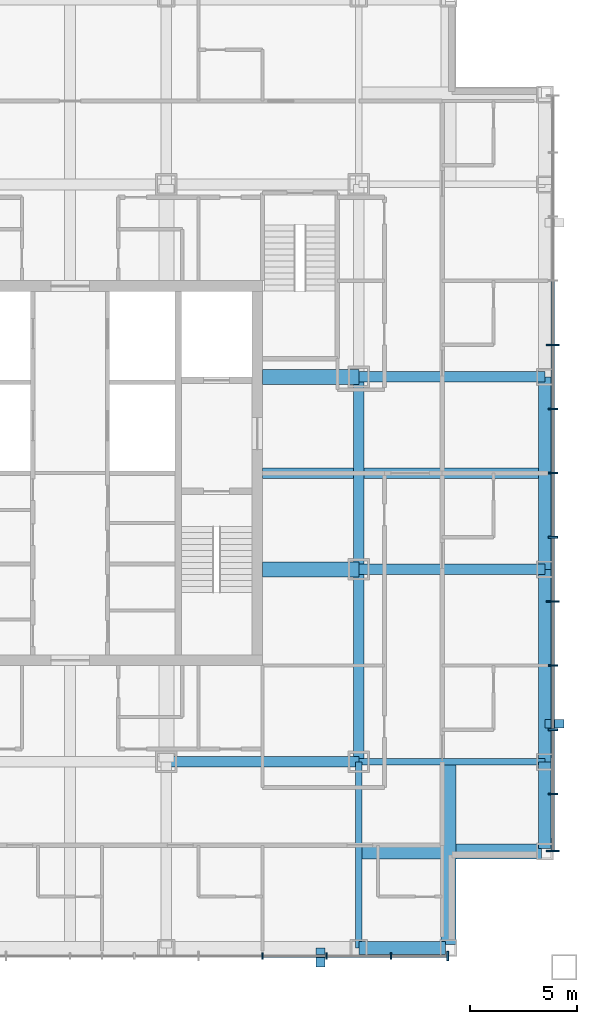
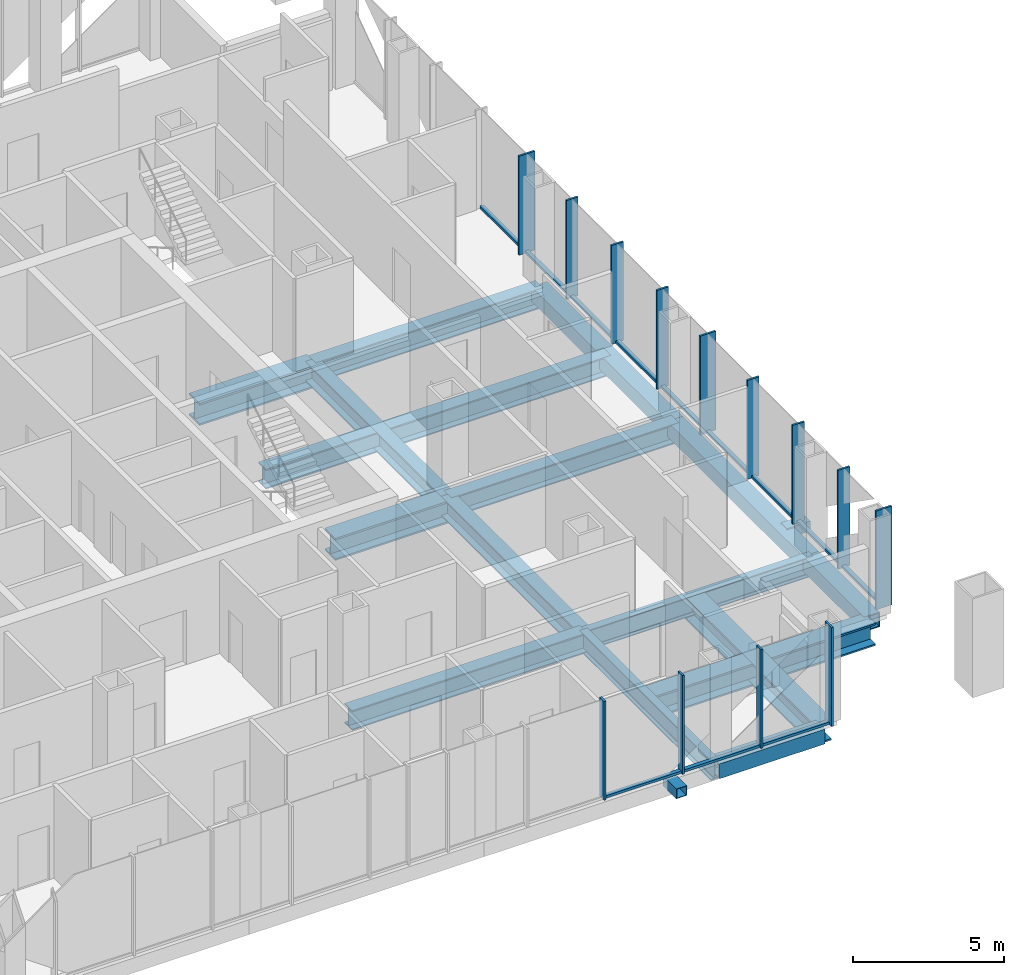
# One storey, part 3 of 11: 27 members, 16 beams, 2 elements without a shape of their own.
"""IFC4 building model written with IfcOpenShell, lengths in metres."""

from ifc_helpers import new_model, si_unit, direction, frame, origin, origin_2d, place, context, subcontext, project, spatial, rectangle, hollow_rectangle, i_section, extrude, material, layer, layer_set, material_profile, profile_set, type_object, element, aggregate, save


model = new_model("IFC4")

# Units and contexts
model_context = context("Model", 3, precision=1e-05, world=origin(), true_north=direction((0.0, 1.0)))
body_context = subcontext(model_context, "Body", "Model", "MODEL_VIEW")
ifc_project = project(units=[si_unit("LENGTHUNIT", "METRE"), si_unit("AREAUNIT", "SQUARE_METRE"), si_unit("VOLUMEUNIT", "CUBIC_METRE"), si_unit("PLANEANGLEUNIT", "RADIAN"), si_unit("MASSUNIT", "GRAM", prefix="KILO")], contexts=[model_context])

# Site, building, storey
site_placement = place(None, origin())
site = spatial("IfcSite", under=ifc_project, at=site_placement, CompositionType="ELEMENT")
building_placement = place(site_placement, origin())
building = spatial("IfcBuilding", under=site, at=building_placement, Name="Malebo Sky Hospital", CompositionType="ELEMENT")
storey_placement = place(building_placement, frame((0.0, 0.0, 201.0)))
storey = spatial("IfcBuildingStorey", under=building, at=storey_placement, Name="L48", CompositionType="ELEMENT", Elevation=201.0)

# Curtain wall, members
ifc_material_1 = material(Name="Anodised aluminium, natural silver", Category="aluminium")
ifc_layer_1 = layer(ifc_material_1, 0.25)
ifc_layer_set_1 = layer_set([ifc_layer_1], Name="WARD CURTAIN WALL NORTH AND SOUTH")
curtain_wall_type_1 = type_object("IfcCurtainWallType", Name="WARD CURTAIN WALL NORTH AND SOUTH", PredefinedType="NOTDEFINED", material=ifc_layer_set_1)
curtain_wall_1_placement = place(storey_placement, origin())
curtain_wall_1 = element("IfcCurtainWall", 1, at=curtain_wall_1_placement, inside=storey, type_object=curtain_wall_type_1, Name="NS curtain wall S", PredefinedType="NOTDEFINED")
ifc_material_profile_1 = material_profile(ifc_material_1, rectangle(XDim=0.14990234375, YDim=0.10009765625, at=origin_2d()), Name="ALUMINIUM TRANSOM 150x100")
ifc_profile_set_1 = profile_set([ifc_material_profile_1], Name="Anodised aluminium, natural silver")
member_type_1 = type_object("IfcMemberType", Name="ALUMINIUM TRANSOM 150x100", PredefinedType="USERDEFINED", material=ifc_profile_set_1)
member_1_placement = place(storey_placement, frame((77.625, 39.425048828125, 0.050048828125), z_axis=(-1.0, 0.0, 0.0), x_axis=(0.0, -1.0, 0.0)))
member_1 = element("IfcMember", 2, at=member_1_placement, type_object=member_type_1, Name="Transom 1", ObjectType="TRANSOM", PredefinedType="USERDEFINED", context=body_context, shape_type="SweptSolid", body=[
    extrude(rectangle(XDim=0.14990234375, YDim=0.10009765625, at=origin_2d()), origin(), (0.0, 0.0, 1.0), 2.58740234375),
])
member_2_placement = place(storey_placement, frame((74.96240234375, 39.425048828125, 0.050048828125), z_axis=(-1.0, 0.0, 0.0), x_axis=(0.0, -1.0, 0.0)))
member_2 = element("IfcMember", 3, at=member_2_placement, type_object=member_type_1, Name="Transom 2", ObjectType="TRANSOM", PredefinedType="USERDEFINED", context=body_context, shape_type="SweptSolid", body=[
    extrude(rectangle(XDim=0.14990234375, YDim=0.10009765625, at=origin_2d()), origin(), (0.0, 0.0, 1.0), 2.9248046875),
])
member_3_placement = place(storey_placement, frame((71.96240234375, 39.425048828125, 0.050048828125), z_axis=(-1.0, 0.0, 0.0), x_axis=(0.0, -1.0, 0.0)))
member_3 = element("IfcMember", 4, at=member_3_placement, type_object=member_type_1, Name="Transom 3", ObjectType="TRANSOM", PredefinedType="USERDEFINED", context=body_context, shape_type="SweptSolid", body=[
    extrude(rectangle(XDim=0.14990234375, YDim=0.10009765625, at=origin_2d()), origin(), (0.0, 0.0, 1.0), 2.9248046875),
])

ifc_layer_2 = layer(ifc_material_1, 0.25)
ifc_layer_set_2 = layer_set([ifc_layer_2], Name="WARD CURTAIN WALL EAST AND WEST")
curtain_wall_type_2 = type_object("IfcCurtainWallType", Name="WARD CURTAIN WALL EAST AND WEST", PredefinedType="NOTDEFINED", material=ifc_layer_set_2)
curtain_wall_2_placement = place(storey_placement, origin())
curtain_wall_2 = element("IfcCurtainWall", 5, at=curtain_wall_2_placement, inside=storey, type_object=curtain_wall_type_2, Name="EW curtain wall E", PredefinedType="NOTDEFINED")
member_4_placement = place(storey_placement, frame((82.574951171875, 70.96240234375, 0.050048828125), z_axis=(0.0, -1.0, 0.0), x_axis=(1.0, 0.0, 0.0)))
member_4 = element("IfcMember", 6, at=member_4_placement, type_object=member_type_1, Name="Transom 4", ObjectType="TRANSOM", PredefinedType="USERDEFINED", context=body_context, shape_type="SweptSolid", body=[
    extrude(rectangle(XDim=0.14990234375, YDim=0.10009765625, at=origin_2d()), origin(), (0.0, 0.0, 1.0), 2.9248046875),
])
member_5_placement = place(storey_placement, frame((82.574951171875, 67.96240234375, 0.050048828125), z_axis=(0.0, -1.0, 0.0), x_axis=(1.0, 0.0, 0.0)))
member_5 = element("IfcMember", 7, at=member_5_placement, type_object=member_type_1, Name="Transom 5", ObjectType="TRANSOM", PredefinedType="USERDEFINED", context=body_context, shape_type="SweptSolid", body=[
    extrude(rectangle(XDim=0.14990234375, YDim=0.10009765625, at=origin_2d()), origin(), (0.0, 0.0, 1.0), 2.9248046875),
])
member_6_placement = place(storey_placement, frame((82.574951171875, 64.96240234375, 0.050048828125), z_axis=(0.0, -1.0, 0.0), x_axis=(1.0, 0.0, 0.0)))
member_6 = element("IfcMember", 8, at=member_6_placement, type_object=member_type_1, Name="Transom 6", ObjectType="TRANSOM", PredefinedType="USERDEFINED", context=body_context, shape_type="SweptSolid", body=[
    extrude(rectangle(XDim=0.14990234375, YDim=0.10009765625, at=origin_2d()), origin(), (0.0, 0.0, 1.0), 2.9248046875),
])
member_7_placement = place(storey_placement, frame((82.574951171875, 61.96240234375, 0.050048828125), z_axis=(0.0, -1.0, 0.0), x_axis=(1.0, 0.0, 0.0)))
member_7 = element("IfcMember", 9, at=member_7_placement, type_object=member_type_1, Name="Transom 7", ObjectType="TRANSOM", PredefinedType="USERDEFINED", context=body_context, shape_type="SweptSolid", body=[
    extrude(rectangle(XDim=0.14990234375, YDim=0.10009765625, at=origin_2d()), origin(), (0.0, 0.0, 1.0), 2.9248046875),
])
member_8_placement = place(storey_placement, frame((82.574951171875, 58.96240234375, 0.050048828125), z_axis=(0.0, -1.0, 0.0), x_axis=(1.0, 0.0, 0.0)))
member_8 = element("IfcMember", 10, at=member_8_placement, type_object=member_type_1, Name="Transom 8", ObjectType="TRANSOM", PredefinedType="USERDEFINED", context=body_context, shape_type="SweptSolid", body=[
    extrude(rectangle(XDim=0.14990234375, YDim=0.10009765625, at=origin_2d()), origin(), (0.0, 0.0, 1.0), 2.9248046875),
])
member_9_placement = place(storey_placement, frame((82.574951171875, 55.96240234375, 0.050048828125), z_axis=(0.0, -1.0, 0.0), x_axis=(1.0, 0.0, 0.0)))
member_9 = element("IfcMember", 11, at=member_9_placement, type_object=member_type_1, Name="Transom 9", ObjectType="TRANSOM", PredefinedType="USERDEFINED", context=body_context, shape_type="SweptSolid", body=[
    extrude(rectangle(XDim=0.14990234375, YDim=0.10009765625, at=origin_2d()), origin(), (0.0, 0.0, 1.0), 2.9248046875),
])
member_10_placement = place(storey_placement, frame((82.574951171875, 52.96240234375, 0.050048828125), z_axis=(0.0, -1.0, 0.0), x_axis=(1.0, 0.0, 0.0)))
member_10 = element("IfcMember", 12, at=member_10_placement, type_object=member_type_1, Name="Transom 10", ObjectType="TRANSOM", PredefinedType="USERDEFINED", context=body_context, shape_type="SweptSolid", body=[
    extrude(rectangle(XDim=0.14990234375, YDim=0.10009765625, at=origin_2d()), origin(), (0.0, 0.0, 1.0), 2.9248046875),
])
member_11_placement = place(storey_placement, frame((82.574951171875, 49.96240234375, 0.050048828125), z_axis=(0.0, -1.0, 0.0), x_axis=(1.0, 0.0, 0.0)))
member_11 = element("IfcMember", 13, at=member_11_placement, type_object=member_type_1, Name="Transom 11", ObjectType="TRANSOM", PredefinedType="USERDEFINED", context=body_context, shape_type="SweptSolid", body=[
    extrude(rectangle(XDim=0.14990234375, YDim=0.10009765625, at=origin_2d()), origin(), (0.0, 0.0, 1.0), 2.9248046875),
])
member_12_placement = place(storey_placement, frame((82.574951171875, 46.96240234375, 0.050048828125), z_axis=(0.0, -1.0, 0.0), x_axis=(1.0, 0.0, 0.0)))
member_12 = element("IfcMember", 14, at=member_12_placement, type_object=member_type_1, Name="Transom 12", ObjectType="TRANSOM", PredefinedType="USERDEFINED", context=body_context, shape_type="SweptSolid", body=[
    extrude(rectangle(XDim=0.14990234375, YDim=0.10009765625, at=origin_2d()), origin(), (0.0, 0.0, 1.0), 2.58740234375),
])

# Members
ifc_material_2 = material(Name="Steel S355", Category="steel")
ifc_material_profile_2 = material_profile(ifc_material_2, hollow_rectangle(XDim=0.39990234375, YDim=0.39990234375, WallThickness=0.02001953125, at=origin_2d()), Name="SHS 400x20")
ifc_profile_set_2 = profile_set([ifc_material_profile_2], Name="Steel S355")
member_type_2 = type_object("IfcMemberType", Name="BRACE STRUT SHS 400x20", PredefinedType="STRUT", material=ifc_profile_set_2)
for number, where, z_axis, x_axis, name in (
    (15, (71.710205078125, 38.89990234375, -0.39990234375), (0.0, 1.0, 0.0), (-1.0, 0.0, 0.0), "Brace strut CS1 L48"),
    (16, (83.10009765625, 50.289794921875, -0.39990234375), (-1.0, 0.0, 0.0), (0.0, -1.0, 0.0), "Brace strut CE2 L48"),
):
    element("IfcMember", number, at=place(storey_placement, frame(where, z_axis=z_axis, x_axis=x_axis)), inside=storey, type_object=member_type_2, Name=name, PredefinedType="STRUT", context=body_context, shape_type="SweptSolid", body=[
        extrude(hollow_rectangle(XDim=0.39990234375, YDim=0.39990234375, WallThickness=0.02001953125, at=origin_2d()), origin(), (0.0, 0.0, 1.0), 0.900146484375),
    ])

# Member
ifc_material_profile_3 = material_profile(ifc_material_1, rectangle(XDim=0.074951171875, YDim=0.300048828125, at=origin_2d()), Name="CW1 ALUMINIUM FIN MULLION 75x300")
ifc_profile_set_3 = profile_set([ifc_material_profile_3], Name="Anodised aluminium, natural silver")
member_type_3 = type_object("IfcMemberType", Name="CW1 ALUMINIUM FIN MULLION 75x300", PredefinedType="MULLION", material=ifc_profile_set_3)
member_13_placement = place(storey_placement, frame((75.0, 39.425048828125, 0.0), z_axis=(0.0, 0.0, 1.0), x_axis=(-1.0, 0.0, 0.0)))
member_13 = element("IfcMember", 17, at=member_13_placement, type_object=member_type_3, Name="Fin mullion 2", PredefinedType="MULLION", context=body_context, shape_type="SweptSolid", body=[
    extrude(rectangle(XDim=0.074951171875, YDim=0.300048828125, at=origin_2d()), origin(), (0.0, 0.0, 1.0), 4.0),
])

member_14_placement = place(storey_placement, frame((72.0, 39.425048828125, 0.0), z_axis=(0.0, 0.0, 1.0), x_axis=(-1.0, 0.0, 0.0)))
member_14 = element("IfcMember", 18, at=member_14_placement, type_object=member_type_3, Name="Fin mullion 3", PredefinedType="MULLION", context=body_context, shape_type="SweptSolid", body=[
    extrude(rectangle(XDim=0.074951171875, YDim=0.300048828125, at=origin_2d()), origin(), (0.0, 0.0, 1.0), 4.0),
])

member_15_placement = place(storey_placement, frame((69.0, 39.425048828125, 0.0), z_axis=(0.0, 0.0, 1.0), x_axis=(-1.0, 0.0, 0.0)))
member_15 = element("IfcMember", 19, at=member_15_placement, type_object=member_type_3, Name="Fin mullion 4", PredefinedType="MULLION", context=body_context, shape_type="SweptSolid", body=[
    extrude(rectangle(XDim=0.074951171875, YDim=0.300048828125, at=origin_2d()), origin(), (0.0, 0.0, 1.0), 4.0),
])

ifc_material_profile_4 = material_profile(ifc_material_1, rectangle(XDim=0.074951171875, YDim=0.449951171875, at=origin_2d()), Name="CW1 ALUMINIUM FIN MULLION 75x450")
ifc_profile_set_4 = profile_set([ifc_material_profile_4], Name="Anodised aluminium, natural silver")
member_type_4 = type_object("IfcMemberType", Name="CW1 ALUMINIUM FIN MULLION 75x450", PredefinedType="MULLION", material=ifc_profile_set_4)
member_16_placement = place(storey_placement, frame((77.66259765625, 39.425048828125, 0.0), z_axis=(0.0, 0.0, 1.0), x_axis=(-1.0, 0.0, 0.0)))
member_16 = element("IfcMember", 20, at=member_16_placement, type_object=member_type_4, Name="Fin mullion 1", PredefinedType="MULLION", context=body_context, shape_type="SweptSolid", body=[
    extrude(rectangle(XDim=0.074951171875, YDim=0.449951171875, at=origin_2d()), origin(), (0.0, 0.0, 1.0), 4.0),
])

aggregate(curtain_wall_1, [member_16, member_13, member_14, member_15, member_1, member_2, member_3])

ifc_material_profile_5 = material_profile(ifc_material_1, rectangle(XDim=0.074951171875, YDim=0.449951171875, at=origin_2d()), Name="CW2 ALUMINIUM FIN MULLION 75x450")
ifc_profile_set_5 = profile_set([ifc_material_profile_5], Name="Anodised aluminium, natural silver")
member_type_5 = type_object("IfcMemberType", Name="CW2 ALUMINIUM FIN MULLION 75x450", PredefinedType="MULLION", material=ifc_profile_set_5)
member_17_placement = place(storey_placement, frame((82.574951171875, 65.0, 0.0), z_axis=(0.0, 0.0, 1.0), x_axis=(0.0, -1.0, 0.0)))
member_17 = element("IfcMember", 21, at=member_17_placement, type_object=member_type_5, Name="Fin mullion 6", PredefinedType="MULLION", context=body_context, shape_type="SweptSolid", body=[
    extrude(rectangle(XDim=0.074951171875, YDim=0.449951171875, at=origin_2d()), origin(), (0.0, 0.0, 1.0), 4.0),
])

member_18_placement = place(storey_placement, frame((82.574951171875, 62.0, 0.0), z_axis=(0.0, 0.0, 1.0), x_axis=(0.0, -1.0, 0.0)))
member_18 = element("IfcMember", 22, at=member_18_placement, type_object=member_type_5, Name="Fin mullion 7", PredefinedType="MULLION", context=body_context, shape_type="SweptSolid", body=[
    extrude(rectangle(XDim=0.074951171875, YDim=0.449951171875, at=origin_2d()), origin(), (0.0, 0.0, 1.0), 4.0),
])

member_19_placement = place(storey_placement, frame((82.574951171875, 59.0, 0.0), z_axis=(0.0, 0.0, 1.0), x_axis=(0.0, -1.0, 0.0)))
member_19 = element("IfcMember", 23, at=member_19_placement, type_object=member_type_5, Name="Fin mullion 8", PredefinedType="MULLION", context=body_context, shape_type="SweptSolid", body=[
    extrude(rectangle(XDim=0.074951171875, YDim=0.449951171875, at=origin_2d()), origin(), (0.0, 0.0, 1.0), 4.0),
])

member_20_placement = place(storey_placement, frame((82.574951171875, 53.0, 0.0), z_axis=(0.0, 0.0, 1.0), x_axis=(0.0, -1.0, 0.0)))
member_20 = element("IfcMember", 24, at=member_20_placement, type_object=member_type_5, Name="Fin mullion 10", PredefinedType="MULLION", context=body_context, shape_type="SweptSolid", body=[
    extrude(rectangle(XDim=0.074951171875, YDim=0.449951171875, at=origin_2d()), origin(), (0.0, 0.0, 1.0), 4.0),
])

member_21_placement = place(storey_placement, frame((82.574951171875, 50.0, 0.0), z_axis=(0.0, 0.0, 1.0), x_axis=(0.0, -1.0, 0.0)))
member_21 = element("IfcMember", 25, at=member_21_placement, type_object=member_type_5, Name="Fin mullion 11", PredefinedType="MULLION", context=body_context, shape_type="SweptSolid", body=[
    extrude(rectangle(XDim=0.074951171875, YDim=0.449951171875, at=origin_2d()), origin(), (0.0, 0.0, 1.0), 4.0),
])

member_22_placement = place(storey_placement, frame((82.574951171875, 47.0, 0.0), z_axis=(0.0, 0.0, 1.0), x_axis=(0.0, -1.0, 0.0)))
member_22 = element("IfcMember", 26, at=member_22_placement, type_object=member_type_5, Name="Fin mullion 12", PredefinedType="MULLION", context=body_context, shape_type="SweptSolid", body=[
    extrude(rectangle(XDim=0.074951171875, YDim=0.449951171875, at=origin_2d()), origin(), (0.0, 0.0, 1.0), 4.0),
])

ifc_material_profile_6 = material_profile(ifc_material_1, rectangle(XDim=0.074951171875, YDim=0.60009765625, at=origin_2d()), Name="CW2 ALUMINIUM FIN MULLION 75x600")
ifc_profile_set_6 = profile_set([ifc_material_profile_6], Name="Anodised aluminium, natural silver")
member_type_6 = type_object("IfcMemberType", Name="CW2 ALUMINIUM FIN MULLION 75x600", PredefinedType="MULLION", material=ifc_profile_set_6)
member_23_placement = place(storey_placement, frame((82.574951171875, 68.0, 0.0), z_axis=(0.0, 0.0, 1.0), x_axis=(0.0, -1.0, 0.0)))
member_23 = element("IfcMember", 27, at=member_23_placement, type_object=member_type_6, Name="Fin mullion 5", PredefinedType="MULLION", context=body_context, shape_type="SweptSolid", body=[
    extrude(rectangle(XDim=0.074951171875, YDim=0.60009765625, at=origin_2d()), origin(), (0.0, 0.0, 1.0), 4.0),
])

member_24_placement = place(storey_placement, frame((82.574951171875, 56.0, 0.0), z_axis=(0.0, 0.0, 1.0), x_axis=(0.0, -1.0, 0.0)))
member_24 = element("IfcMember", 28, at=member_24_placement, type_object=member_type_6, Name="Fin mullion 9", PredefinedType="MULLION", context=body_context, shape_type="SweptSolid", body=[
    extrude(rectangle(XDim=0.074951171875, YDim=0.60009765625, at=origin_2d()), origin(), (0.0, 0.0, 1.0), 4.0),
])

member_25_placement = place(storey_placement, frame((82.574951171875, 44.33740234375, 0.0), z_axis=(0.0, 0.0, 1.0), x_axis=(0.0, -1.0, 0.0)))
member_25 = element("IfcMember", 29, at=member_25_placement, type_object=member_type_6, Name="Fin mullion 13", PredefinedType="MULLION", context=body_context, shape_type="SweptSolid", body=[
    extrude(rectangle(XDim=0.074951171875, YDim=0.60009765625, at=origin_2d()), origin(), (0.0, 0.0, 1.0), 4.0),
])

aggregate(curtain_wall_2, [member_23, member_17, member_18, member_19, member_24, member_20, member_21, member_22, member_25, member_4, member_5, member_6, member_7, member_8, member_9, member_10, member_11, member_12])

# Beams
ifc_material_3 = material(Name="Steel S460", Category="steel")
ifc_material_profile_7 = material_profile(ifc_material_3, hollow_rectangle(XDim=0.60009765625, YDim=0.60009765625, WallThickness=0.0400390625, at=origin_2d()), Name="BOX 600x600x40")
ifc_profile_set_7 = profile_set([ifc_material_profile_7], Name="Steel S460")
beam_type_1 = type_object("IfcBeamType", Name="EDGE BEAM BOX 600x600x40", PredefinedType="BEAM", material=ifc_profile_set_7)
beam_1_placement = place(storey_placement, frame((82.199951171875, 44.449951171875, -0.550048828125), z_axis=(0.0, 1.0, 0.0), x_axis=(-1.0, 0.0, 0.0)))
element("IfcBeam", 30, at=beam_1_placement, inside=storey, type_object=beam_type_1, Name="Beam 029 L48", PredefinedType="BEAM", context=body_context, shape_type="SweptSolid", body=[
    extrude(hollow_rectangle(XDim=0.60009765625, YDim=0.60009765625, WallThickness=0.0400390625, at=origin_2d()), origin(), (0.0, 0.0, 1.0), 4.050048828125),
])
for number, where, z_axis, x_axis, name in (
    (31, (82.199951171875, 48.5, -0.550048828125), (0.0, 1.0, 0.0), (-1.0, 0.0, 0.0), "Beam 030 L48"),
    (32, (82.199951171875, 57.5, -0.550048828125), (0.0, 1.0, 0.0), (-1.0, 0.0, 0.0), "Beam 031 L48"),
):
    element("IfcBeam", number, at=place(storey_placement, frame(where, z_axis=z_axis, x_axis=x_axis)), inside=storey, type_object=beam_type_1, Name=name, PredefinedType="BEAM", context=body_context, shape_type="SweptSolid", body=[
        extrude(hollow_rectangle(XDim=0.60009765625, YDim=0.60009765625, WallThickness=0.0400390625, at=origin_2d()), origin(), (0.0, 0.0, 1.0), 9.0),
    ])
beam_2_placement = place(storey_placement, frame((73.5, 39.800048828125, -0.550048828125), z_axis=(1.0, 0.0, 0.0), x_axis=(0.0, 1.0, 0.0)))
element("IfcBeam", 33, at=beam_2_placement, inside=storey, type_object=beam_type_1, Name="Beam 038 L48", PredefinedType="BEAM", context=body_context, shape_type="SweptSolid", body=[
    extrude(hollow_rectangle(XDim=0.60009765625, YDim=0.60009765625, WallThickness=0.0400390625, at=origin_2d()), origin(), (0.0, 0.0, 1.0), 4.050048828125),
])
ifc_material_profile_8 = material_profile(ifc_material_2, i_section(OverallWidth=0.5, OverallDepth=0.800048828125, WebThickness=0.030029296875, FlangeThickness=0.050048828125, at=origin_2d()), Name="PG 800x500x30x50")
ifc_profile_set_8 = profile_set([ifc_material_profile_8], Name="Steel S355")
beam_type_2 = type_object("IfcBeamType", Name="FLOOR BEAM PG 800x500x30x50", PredefinedType="BEAM", material=ifc_profile_set_8)
for number, where, z_axis, x_axis, name in (
    (34, (73.5, 48.5, -0.64990234375), (0.0, 1.0, 0.0), (-1.0, 0.0, 0.0), "Beam 023 L48"),
    (35, (64.5, 48.5, -0.64990234375), (1.0, 0.0, 0.0), (0.0, 1.0, 0.0), "Beam 044 L48"),
):
    element("IfcBeam", number, at=place(storey_placement, frame(where, z_axis=z_axis, x_axis=x_axis)), inside=storey, type_object=beam_type_2, Name=name, PredefinedType="BEAM", context=body_context, shape_type="SweptSolid", body=[
        extrude(i_section(OverallWidth=0.5, OverallDepth=0.800048828125, WebThickness=0.030029296875, FlangeThickness=0.050048828125, at=origin_2d()), origin(), (0.0, 0.0, 1.0), 9.0),
    ])
beam_3_placement = place(storey_placement, frame((73.5, 57.5, -0.64990234375), z_axis=(1.0, 0.0, 0.0), x_axis=(0.0, 1.0, 0.0)))
element("IfcBeam", 36, at=beam_3_placement, inside=storey, type_object=beam_type_2, Name="Beam 049 L48", PredefinedType="BEAM", context=body_context, shape_type="SweptSolid", body=[
    extrude(i_section(OverallWidth=0.5, OverallDepth=0.800048828125, WebThickness=0.030029296875, FlangeThickness=0.050048828125, at=origin_2d()), origin(), (0.0, 0.0, 1.0), 8.699951171875),
])
beam_4_placement = place(storey_placement, frame((69.0, 62.0, -0.64990234375), z_axis=(1.0, 0.0, 0.0), x_axis=(0.0, 1.0, 0.0)))
element("IfcBeam", 37, at=beam_4_placement, inside=storey, type_object=beam_type_2, Name="Beam 051 L48", PredefinedType="BEAM", context=body_context, shape_type="SweptSolid", body=[
    extrude(i_section(OverallWidth=0.5, OverallDepth=0.800048828125, WebThickness=0.030029296875, FlangeThickness=0.050048828125, at=origin_2d()), origin(), (0.0, 0.0, 1.0), 13.199951171875),
])
beam_5_placement = place(storey_placement, frame((73.5, 66.5, -0.64990234375), z_axis=(1.0, 0.0, 0.0), x_axis=(0.0, 1.0, 0.0)))
element("IfcBeam", 38, at=beam_5_placement, inside=storey, type_object=beam_type_2, Name="Beam 055 L48", PredefinedType="BEAM", context=body_context, shape_type="SweptSolid", body=[
    extrude(i_section(OverallWidth=0.5, OverallDepth=0.800048828125, WebThickness=0.030029296875, FlangeThickness=0.050048828125, at=origin_2d()), origin(), (0.0, 0.0, 1.0), 8.699951171875),
])
ifc_material_profile_9 = material_profile(ifc_material_2, i_section(OverallWidth=0.699951171875, OverallDepth=0.89990234375, WebThickness=0.0400390625, FlangeThickness=0.070068359375, at=origin_2d()), Name="PG 900x700x40x70")
ifc_profile_set_9 = profile_set([ifc_material_profile_9], Name="Steel S355")
beam_type_3 = type_object("IfcBeamType", Name="FLOOR BEAM PG 900x700x40x70", PredefinedType="BEAM", material=ifc_profile_set_9)
for number, where, z_axis, x_axis, name in (
    (39, (77.699951171875, 39.949951171875, -0.699951171875), (0.0, 1.0, 0.0), (-1.0, 0.0, 0.0), "Beam 027 L48"),
    (40, (73.5, 44.300048828125, -0.699951171875), (1.0, 0.0, 0.0), (0.0, 1.0, 0.0), "Beam 040 L48"),
):
    element("IfcBeam", number, at=place(storey_placement, frame(where, z_axis=z_axis, x_axis=x_axis)), inside=storey, type_object=beam_type_3, Name=name, PredefinedType="BEAM", context=body_context, shape_type="SweptSolid", body=[
        extrude(i_section(OverallWidth=0.699951171875, OverallDepth=0.89990234375, WebThickness=0.0400390625, FlangeThickness=0.070068359375, at=origin_2d()), origin(), (0.0, 0.0, 1.0), 8.550048828125),
    ])
for number, where, z_axis, x_axis, name in (
    (41, (69.0, 57.5, -0.699951171875), (1.0, 0.0, 0.0), (0.0, 1.0, 0.0), "Beam 048 L48"),
    (42, (69.0, 66.5, -0.699951171875), (1.0, 0.0, 0.0), (0.0, 1.0, 0.0), "Beam 054 L48"),
):
    element("IfcBeam", number, at=place(storey_placement, frame(where, z_axis=z_axis, x_axis=x_axis)), inside=storey, type_object=beam_type_3, Name=name, PredefinedType="BEAM", context=body_context, shape_type="SweptSolid", body=[
        extrude(i_section(OverallWidth=0.699951171875, OverallDepth=0.89990234375, WebThickness=0.0400390625, FlangeThickness=0.070068359375, at=origin_2d()), origin(), (0.0, 0.0, 1.0), 4.5),
    ])
ifc_material_profile_10 = material_profile(ifc_material_2, i_section(OverallWidth=0.300048828125, OverallDepth=0.800048828125, WebThickness=0.017578125, FlangeThickness=0.032958984375, FilletRadius=0.030029296875, at=origin_2d()), Name="HEB 800")
ifc_profile_set_10 = profile_set([ifc_material_profile_10], Name="Steel S355")
beam_type_4 = type_object("IfcBeamType", Name="FLOOR GIRDER HEB 800", PredefinedType="BEAM", material=ifc_profile_set_10)
for number, where, z_axis, x_axis, name in (
    (43, (73.5, 39.800048828125, -0.64990234375), (0.0, 1.0, 0.0), (-1.0, 0.0, 0.0), "Beam 022 L48"),
    (44, (73.5, 48.5, -0.64990234375), (1.0, 0.0, 0.0), (0.0, 1.0, 0.0), "Beam 045 L48"),
):
    element("IfcBeam", number, at=place(storey_placement, frame(where, z_axis=z_axis, x_axis=x_axis)), inside=storey, type_object=beam_type_4, Name=name, PredefinedType="BEAM", context=body_context, shape_type="SweptSolid", body=[
        extrude(i_section(OverallWidth=0.300048828125, OverallDepth=0.800048828125, WebThickness=0.017578125, FlangeThickness=0.032958984375, FilletRadius=0.030029296875, at=origin_2d()), origin(), (0.0, 0.0, 1.0), 8.699951171875),
    ])
ifc_material_profile_11 = material_profile(ifc_material_2, i_section(OverallWidth=0.5, OverallDepth=0.800048828125, WebThickness=0.030029296875, FlangeThickness=0.050048828125, at=origin_2d()), Name="PG 800x500x30x50")
ifc_profile_set_11 = profile_set([ifc_material_profile_11], Name="Steel S355")
beam_type_5 = type_object("IfcBeamType", Name="RING GIRDER PG 800x500x30x50", PredefinedType="BEAM", material=ifc_profile_set_11)
beam_6_placement = place(storey_placement, frame((73.5, 57.5, -0.64990234375), z_axis=(0.0, 1.0, 0.0), x_axis=(-1.0, 0.0, 0.0)))
element("IfcBeam", 45, at=beam_6_placement, inside=storey, type_object=beam_type_5, Name="Beam 024 L48", PredefinedType="BEAM", context=body_context, shape_type="SweptSolid", body=[
    extrude(i_section(OverallWidth=0.5, OverallDepth=0.800048828125, WebThickness=0.030029296875, FlangeThickness=0.050048828125, at=origin_2d()), origin(), (0.0, 0.0, 1.0), 9.0),
])

save(model, "model.ifc")
